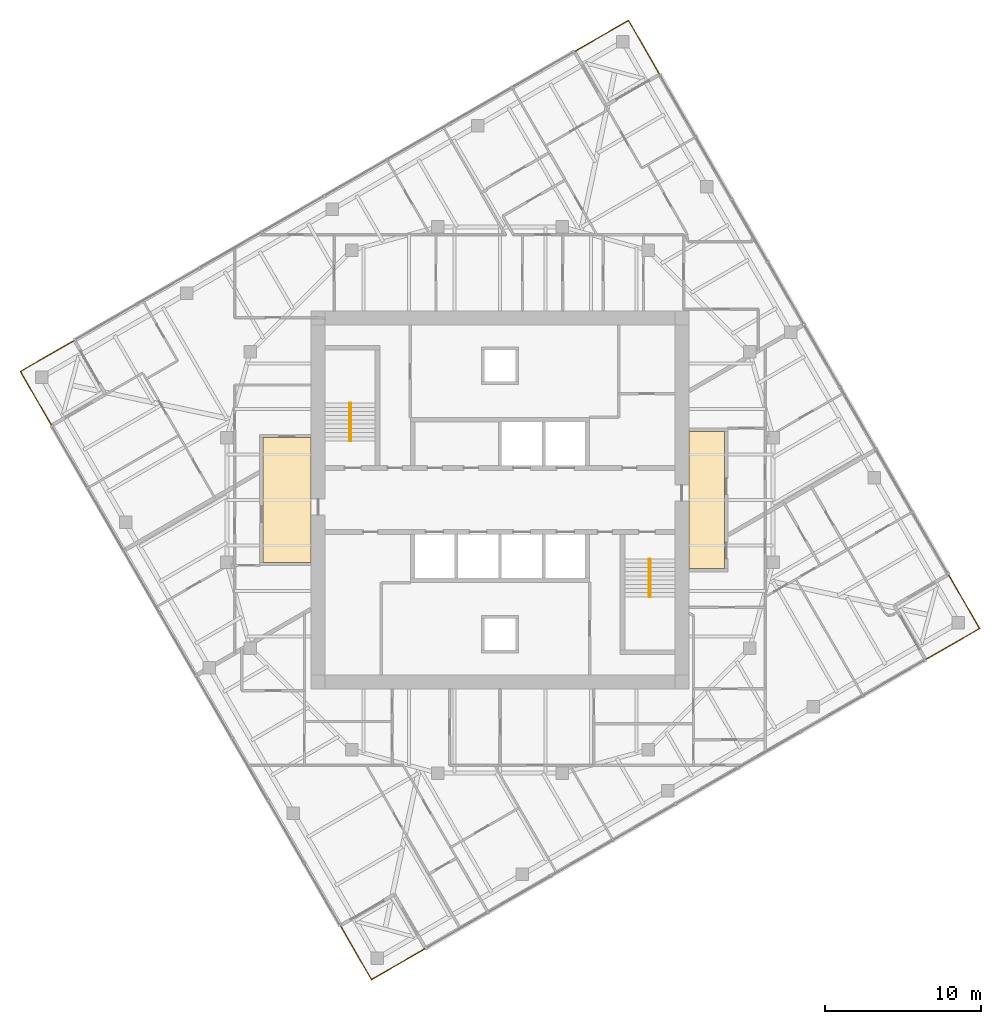
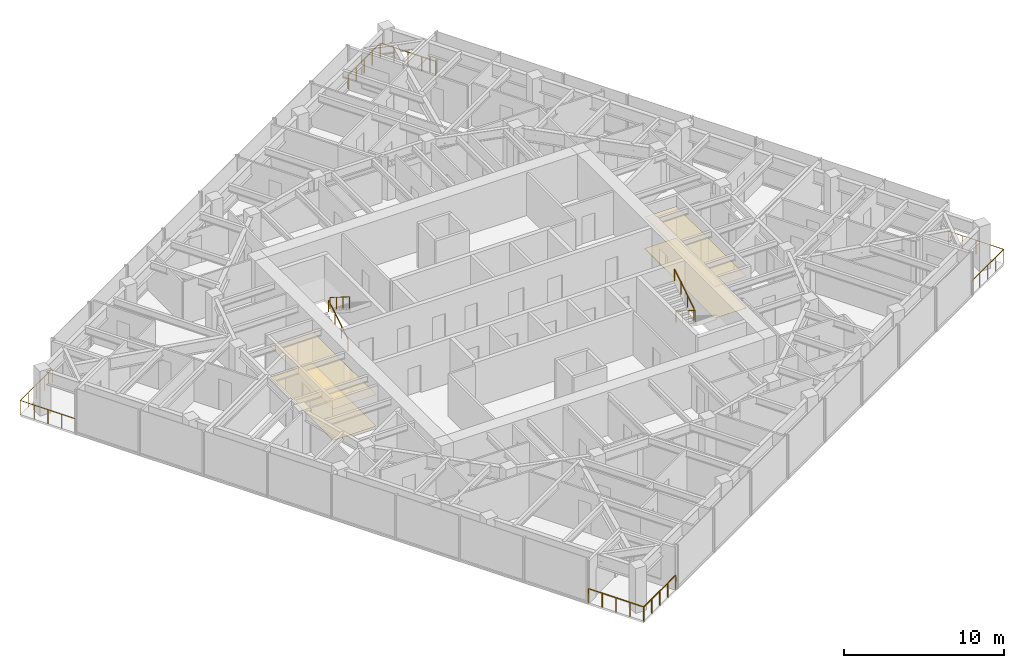
# One storey, part 13 of 13: 8 railings, 4 coverings, 2 elements without a shape of their own.
"""IFC4 building model written with IfcOpenShell, lengths in metres."""

from ifc_helpers import new_model, si_unit, direction, frame, origin, origin_2d, place, context, subcontext, project, spatial, polyline, circle, outline, extrude, material, layer, layer_set, type_object, element, aggregate, save


model = new_model("IFC4")

# Units and contexts
model_context = context("Model", 3, precision=1e-05, world=origin(), true_north=direction((0.0, 1.0)))
body_context = subcontext(model_context, "Body", "Model", "MODEL_VIEW")
ifc_project = project(units=[si_unit("LENGTHUNIT", "METRE"), si_unit("AREAUNIT", "SQUARE_METRE"), si_unit("VOLUMEUNIT", "CUBIC_METRE"), si_unit("PLANEANGLEUNIT", "RADIAN"), si_unit("MASSUNIT", "GRAM", prefix="KILO")], contexts=[model_context])

# Site, building, storey
site_placement = place(None, origin())
site = spatial("IfcSite", under=ifc_project, at=site_placement, CompositionType="ELEMENT")
building_placement = place(site_placement, origin())
building = spatial("IfcBuilding", under=site, at=building_placement, Name="Torsade Residences", CompositionType="ELEMENT")
storey_placement = place(building_placement, frame((0.0, 0.0, 208.199951171875)))
storey = spatial("IfcBuildingStorey", under=building, at=storey_placement, Name="L57", CompositionType="ELEMENT", Elevation=208.199951171875)

# Coverings
ifc_material_1 = material(Name="Nylon carpet tile on underlay", Category="textile")
ifc_layer_1 = layer(ifc_material_1, 0.010009765625)
ifc_layer_set_1 = layer_set([ifc_layer_1], Name="Nylon carpet tile on underlay")
covering_type_1 = type_object("IfcCoveringType", Name="CORRIDOR CARPET TILE 10", PredefinedType="FLOORING", material=ifc_layer_set_1)
covering_1_placement = place(storey_placement, origin())
element("IfcCovering", 1, at=covering_1_placement, inside=storey, type_object=covering_type_1, Name="Corridor carpet L57", PredefinedType="FLOORING", context=body_context, shape_type="SweptSolid", body=[
    extrude(outline(polyline([(54.39990234375, 25.60009765625), (54.39990234375, 34.39990234375), (52.10009765625, 34.39990234375), (52.10009765625, 25.60009765625), (54.39990234375, 25.60009765625)])), origin(), (0.0, 0.0, 1.0), 0.010009765625),
])
covering_2_placement = place(storey_placement, origin())
element("IfcCovering", 2, at=covering_2_placement, inside=storey, type_object=covering_type_1, Name="Corridor carpet west L57", PredefinedType="FLOORING", context=body_context, shape_type="SweptSolid", body=[
    extrude(outline(polyline([(27.89990234375, 26.0), (27.89990234375, 34.0), (24.800048828125, 34.0), (24.800048828125, 26.0), (27.89990234375, 26.0)])), origin(), (0.0, 0.0, 1.0), 0.010009765625),
])
ifc_material_2 = material(Name="Plasterboard on suspended steel grid", Category="steel")
ifc_layer_2 = layer(ifc_material_2, 0.012939453125)
ifc_layer_set_2 = layer_set([ifc_layer_2], Name="Plasterboard on suspended steel grid")
covering_type_2 = type_object("IfcCoveringType", Name="CORRIDOR SUSPENDED CEILING 13", PredefinedType="CEILING", material=ifc_layer_set_2)
covering_3_placement = place(storey_placement, frame((0.0, 0.0, 2.400146484375)))
element("IfcCovering", 3, at=covering_3_placement, inside=storey, type_object=covering_type_2, Name="Corridor ceiling L57", PredefinedType="CEILING", context=body_context, shape_type="SweptSolid", body=[
    extrude(outline(polyline([(54.39990234375, 25.60009765625), (54.39990234375, 34.39990234375), (52.10009765625, 34.39990234375), (52.10009765625, 25.60009765625), (54.39990234375, 25.60009765625)])), origin(), (0.0, 0.0, 1.0), 0.012939453125),
])
covering_4_placement = place(storey_placement, frame((0.0, 0.0, 2.400146484375)))
element("IfcCovering", 4, at=covering_4_placement, inside=storey, type_object=covering_type_2, Name="Corridor ceiling west L57", PredefinedType="CEILING", context=body_context, shape_type="SweptSolid", body=[
    extrude(outline(polyline([(27.89990234375, 26.0), (27.89990234375, 34.0), (24.800048828125, 34.0), (24.800048828125, 26.0), (27.89990234375, 26.0)])), origin(), (0.0, 0.0, 1.0), 0.012939453125),
])

# Stair, railings
ifc_material_3 = material(Name="Precast concrete 40 MPa", Category="concrete")
stair_type = type_object("IfcStairType", Name="HALF-TURN FIRE STAIR 1500x3400", PredefinedType="HALF_TURN_STAIR", material=ifc_material_3)
stair_1_placement = place(storey_placement, origin())
stair_1 = element("IfcStair", 5, at=stair_1_placement, inside=storey, type_object=stair_type, Name="Stair ST1 L57", PredefinedType="HALF_TURN_STAIR")
ifc_material_4 = material(Name="Steel handrail", Category="steel")
railing_type_1 = type_object("IfcRailingType", Name="STAIR HANDRAIL 900", PredefinedType="HANDRAIL", material=ifc_material_4)
railing_1_placement = place(storey_placement, frame((30.35009765625, 33.780029296875, 0.170166015625)))
railing_1 = element("IfcRailing", 6, at=railing_1_placement, type_object=railing_type_1, Name="Handrail ST1 flight 1 L57", PredefinedType="HANDRAIL", context=body_context, shape_type="SweptSolid", body=[
    extrude(circle(Radius=0.02392578125, at=origin_2d()), frame((0.0, 0.0, 0.8759765625), z_axis=(0.0, 0.846259816676, 0.532770422113), x_axis=(-1.0, 0.0, 0.0)), (0.0, 0.0, 1.0), 2.871337890625),
    extrude(circle(Radius=0.02099609375, at=origin_2d()), origin(), (0.0, 0.0, 1.0), 0.851806640625),
    extrude(circle(Radius=0.02099609375, at=origin_2d()), frame((0.0, 0.81005859375, 0.510009765625)), (0.0, 0.0, 1.0), 0.851806640625),
    extrude(circle(Radius=0.02099609375, at=origin_2d()), frame((0.0, 1.619873046875, 1.019775390625)), (0.0, 0.0, 1.0), 0.851806640625),
    extrude(circle(Radius=0.02099609375, at=origin_2d()), frame((0.0, 2.429931640625, 1.52978515625)), (0.0, 0.0, 1.0), 0.851806640625),
])
railing_2_placement = place(storey_placement, frame((30.449951171875, 36.2099609375, 1.8701171875)))
railing_2 = element("IfcRailing", 7, at=railing_2_placement, type_object=railing_type_1, Name="Handrail ST1 flight 2 L57", PredefinedType="HANDRAIL", context=body_context, shape_type="SweptSolid", body=[
    extrude(circle(Radius=0.02392578125, at=origin_2d()), frame((0.0, 0.0, 0.8759765625), z_axis=(0.0, -0.846221481393, 0.532831309544), x_axis=(1.0, 0.0, 0.0)), (0.0, 0.0, 1.0), 2.87158203125),
    extrude(circle(Radius=0.02099609375, at=origin_2d()), origin(), (0.0, 0.0, 1.0), 0.851806640625),
    extrude(circle(Radius=0.02099609375, at=origin_2d()), frame((0.0, -0.81005859375, 0.510009765625)), (0.0, 0.0, 1.0), 0.851806640625),
    extrude(circle(Radius=0.02099609375, at=origin_2d()), frame((0.0, -1.619873046875, 1.02001953125)), (0.0, 0.0, 1.0), 0.851806640625),
    extrude(circle(Radius=0.02099609375, at=origin_2d()), frame((0.0, -2.429931640625, 1.530029296875)), (0.0, 0.0, 1.0), 0.851806640625),
])
aggregate(stair_1, [railing_1, railing_2])

stair_2_placement = place(storey_placement, origin())
stair_2 = element("IfcStair", 8, at=stair_2_placement, inside=storey, type_object=stair_type, Name="Stair ST2 L57", PredefinedType="HALF_TURN_STAIR")
railing_3_placement = place(storey_placement, frame((49.64990234375, 26.219970703125, 0.170166015625)))
railing_3 = element("IfcRailing", 9, at=railing_3_placement, type_object=railing_type_1, Name="Handrail ST2 flight 1 L57", PredefinedType="HANDRAIL", context=body_context, shape_type="SweptSolid", body=[
    extrude(circle(Radius=0.02392578125, at=origin_2d()), frame((0.0, 0.0, 0.8759765625), z_axis=(0.0, -0.846259816676, 0.532770422113), x_axis=(1.0, 0.0, 0.0)), (0.0, 0.0, 1.0), 2.871337890625),
    extrude(circle(Radius=0.02099609375, at=origin_2d()), origin(), (0.0, 0.0, 1.0), 0.851806640625),
    extrude(circle(Radius=0.02099609375, at=origin_2d()), frame((0.0, -0.81005859375, 0.510009765625)), (0.0, 0.0, 1.0), 0.851806640625),
    extrude(circle(Radius=0.02099609375, at=origin_2d()), frame((0.0, -1.619873046875, 1.019775390625)), (0.0, 0.0, 1.0), 0.851806640625),
    extrude(circle(Radius=0.02099609375, at=origin_2d()), frame((0.0, -2.429931640625, 1.52978515625)), (0.0, 0.0, 1.0), 0.851806640625),
])
railing_4_placement = place(storey_placement, frame((49.550048828125, 23.7900390625, 1.8701171875)))
railing_4 = element("IfcRailing", 10, at=railing_4_placement, type_object=railing_type_1, Name="Handrail ST2 flight 2 L57", PredefinedType="HANDRAIL", context=body_context, shape_type="SweptSolid", body=[
    extrude(circle(Radius=0.02392578125, at=origin_2d()), frame((0.0, 0.0, 0.8759765625), z_axis=(0.0, 0.846221481393, 0.532831309544), x_axis=(-1.0, 0.0, 0.0)), (0.0, 0.0, 1.0), 2.87158203125),
    extrude(circle(Radius=0.02099609375, at=origin_2d()), origin(), (0.0, 0.0, 1.0), 0.851806640625),
    extrude(circle(Radius=0.02099609375, at=origin_2d()), frame((0.0, 0.81005859375, 0.510009765625)), (0.0, 0.0, 1.0), 0.851806640625),
    extrude(circle(Radius=0.02099609375, at=origin_2d()), frame((0.0, 1.619873046875, 1.02001953125)), (0.0, 0.0, 1.0), 0.851806640625),
    extrude(circle(Radius=0.02099609375, at=origin_2d()), frame((0.0, 2.429931640625, 1.530029296875)), (0.0, 0.0, 1.0), 0.851806640625),
])
aggregate(stair_2, [railing_3, railing_4])

# Railings
ifc_material_5 = material(Name="Laminated glass balustrade", Category="glass")
railing_type_2 = type_object("IfcRailingType", Name="TERRACE GLASS BALUSTRADE 1100", PredefinedType="BALUSTRADE", material=ifc_material_5)
railing_5_placement = place(storey_placement, frame((67.271484375, 19.764404296875, 0.0)))
element("IfcRailing", 11, at=railing_5_placement, inside=storey, type_object=railing_type_2, Name="Terrace balustrade SE L57", PredefinedType="BALUSTRADE", context=body_context, shape_type="SweptSolid", body=[
    extrude(circle(Radius=0.02392578125, at=origin_2d()), frame((0.0, 0.0, 1.076171875), z_axis=(0.866026010844, 0.49999894854, 0.0), x_axis=(-0.49999894854, 0.866026010844, 0.0)), (0.0, 0.0, 1.0), 4.0),
    extrude(circle(Radius=0.02392578125, at=origin_2d()), frame((3.464111328125, 2.0, 1.076171875), z_axis=(-0.49999894854, 0.866026010844, 0.0), x_axis=(-0.866026010844, -0.49999894854, 0.0)), (0.0, 0.0, 1.0), 4.0),
    extrude(circle(Radius=0.02099609375, at=origin_2d()), origin(), (0.0, 0.0, 1.0), 1.052001953125),
    extrude(circle(Radius=0.02099609375, at=origin_2d()), frame((0.865966796875, 0.5, 0.0)), (0.0, 0.0, 1.0), 1.052001953125),
    extrude(circle(Radius=0.02099609375, at=origin_2d()), frame((1.73193359375, 1.0, 0.0)), (0.0, 0.0, 1.0), 1.052001953125),
    extrude(circle(Radius=0.02099609375, at=origin_2d()), frame((2.59814453125, 1.5, 0.0)), (0.0, 0.0, 1.0), 1.052001953125),
    extrude(circle(Radius=0.02099609375, at=origin_2d()), frame((3.464111328125, 2.0, 0.0)), (0.0, 0.0, 1.0), 1.052001953125),
    extrude(circle(Radius=0.02099609375, at=origin_2d()), frame((2.964111328125, 2.865966796875, 0.0)), (0.0, 0.0, 1.0), 1.052001953125),
    extrude(circle(Radius=0.02099609375, at=origin_2d()), frame((2.464111328125, 3.73193359375, 0.0)), (0.0, 0.0, 1.0), 1.052001953125),
    extrude(circle(Radius=0.02099609375, at=origin_2d()), frame((1.964111328125, 4.59814453125, 0.0)), (0.0, 0.0, 1.0), 1.052001953125),
    extrude(circle(Radius=0.02099609375, at=origin_2d()), frame((1.464111328125, 5.464111328125, 0.0)), (0.0, 0.0, 1.0), 1.052001953125),
])
railing_6_placement = place(storey_placement, frame((50.235595703125, 57.271484375, 0.0)))
element("IfcRailing", 12, at=railing_6_placement, inside=storey, type_object=railing_type_2, Name="Terrace balustrade NE L57", PredefinedType="BALUSTRADE", context=body_context, shape_type="SweptSolid", body=[
    extrude(circle(Radius=0.02392578125, at=origin_2d()), frame((0.0, 0.0, 1.076171875), z_axis=(-0.49999894854, 0.866026010844, 0.0), x_axis=(-0.866026010844, -0.49999894854, 0.0)), (0.0, 0.0, 1.0), 4.0),
    extrude(circle(Radius=0.02392578125, at=origin_2d()), frame((-2.0, 3.464111328125, 1.076171875), z_axis=(-0.866026010844, -0.49999894854, 0.0), x_axis=(0.49999894854, -0.866026010844, 0.0)), (0.0, 0.0, 1.0), 4.0),
    extrude(circle(Radius=0.02099609375, at=origin_2d()), origin(), (0.0, 0.0, 1.0), 1.052001953125),
    extrude(circle(Radius=0.02099609375, at=origin_2d()), frame((-0.5, 0.865966796875, 0.0)), (0.0, 0.0, 1.0), 1.052001953125),
    extrude(circle(Radius=0.02099609375, at=origin_2d()), frame((-1.0, 1.73193359375, 0.0)), (0.0, 0.0, 1.0), 1.052001953125),
    extrude(circle(Radius=0.02099609375, at=origin_2d()), frame((-1.5, 2.59814453125, 0.0)), (0.0, 0.0, 1.0), 1.052001953125),
    extrude(circle(Radius=0.02099609375, at=origin_2d()), frame((-2.0, 3.464111328125, 0.0)), (0.0, 0.0, 1.0), 1.052001953125),
    extrude(circle(Radius=0.02099609375, at=origin_2d()), frame((-2.865966796875, 2.964111328125, 0.0)), (0.0, 0.0, 1.0), 1.052001953125),
    extrude(circle(Radius=0.02099609375, at=origin_2d()), frame((-3.73193359375, 2.464111328125, 0.0)), (0.0, 0.0, 1.0), 1.052001953125),
    extrude(circle(Radius=0.02099609375, at=origin_2d()), frame((-4.59814453125, 1.964111328125, 0.0)), (0.0, 0.0, 1.0), 1.052001953125),
    extrude(circle(Radius=0.02099609375, at=origin_2d()), frame((-5.464111328125, 1.464111328125, 0.0)), (0.0, 0.0, 1.0), 1.052001953125),
])
railing_7_placement = place(storey_placement, frame((12.728515625, 40.235595703125, 0.0)))
element("IfcRailing", 13, at=railing_7_placement, inside=storey, type_object=railing_type_2, Name="Terrace balustrade NW L57", PredefinedType="BALUSTRADE", context=body_context, shape_type="SweptSolid", body=[
    extrude(circle(Radius=0.02392578125, at=origin_2d()), frame((0.0, 0.0, 1.076171875), z_axis=(-0.866026010844, -0.49999894854, 0.0), x_axis=(0.49999894854, -0.866026010844, 0.0)), (0.0, 0.0, 1.0), 4.0),
    extrude(circle(Radius=0.02392578125, at=origin_2d()), frame((-3.464111328125, -2.0, 1.076171875), z_axis=(0.49999894854, -0.866026010844, 0.0), x_axis=(0.866026010844, 0.49999894854, 0.0)), (0.0, 0.0, 1.0), 4.0),
    extrude(circle(Radius=0.02099609375, at=origin_2d()), origin(), (0.0, 0.0, 1.0), 1.052001953125),
    extrude(circle(Radius=0.02099609375, at=origin_2d()), frame((-0.865966796875, -0.5, 0.0)), (0.0, 0.0, 1.0), 1.052001953125),
    extrude(circle(Radius=0.02099609375, at=origin_2d()), frame((-1.73193359375, -1.0, 0.0)), (0.0, 0.0, 1.0), 1.052001953125),
    extrude(circle(Radius=0.02099609375, at=origin_2d()), frame((-2.59814453125, -1.5, 0.0)), (0.0, 0.0, 1.0), 1.052001953125),
    extrude(circle(Radius=0.02099609375, at=origin_2d()), frame((-3.464111328125, -2.0, 0.0)), (0.0, 0.0, 1.0), 1.052001953125),
    extrude(circle(Radius=0.02099609375, at=origin_2d()), frame((-2.964111328125, -2.865966796875, 0.0)), (0.0, 0.0, 1.0), 1.052001953125),
    extrude(circle(Radius=0.02099609375, at=origin_2d()), frame((-2.464111328125, -3.73193359375, 0.0)), (0.0, 0.0, 1.0), 1.052001953125),
    extrude(circle(Radius=0.02099609375, at=origin_2d()), frame((-1.964111328125, -4.59814453125, 0.0)), (0.0, 0.0, 1.0), 1.052001953125),
    extrude(circle(Radius=0.02099609375, at=origin_2d()), frame((-1.464111328125, -5.464111328125, 0.0)), (0.0, 0.0, 1.0), 1.052001953125),
])
railing_8_placement = place(storey_placement, frame((29.764404296875, 2.728515625, 0.0)))
element("IfcRailing", 14, at=railing_8_placement, inside=storey, type_object=railing_type_2, Name="Terrace balustrade SW L57", PredefinedType="BALUSTRADE", context=body_context, shape_type="SweptSolid", body=[
    extrude(circle(Radius=0.02392578125, at=origin_2d()), frame((0.0, 0.0, 1.076171875), z_axis=(0.49999894854, -0.866026010844, 0.0), x_axis=(0.866026010844, 0.49999894854, 0.0)), (0.0, 0.0, 1.0), 4.0),
    extrude(circle(Radius=0.02392578125, at=origin_2d()), frame((2.0, -3.464111328125, 1.076171875), z_axis=(0.866026010844, 0.49999894854, 0.0), x_axis=(-0.49999894854, 0.866026010844, 0.0)), (0.0, 0.0, 1.0), 4.0),
    extrude(circle(Radius=0.02099609375, at=origin_2d()), origin(), (0.0, 0.0, 1.0), 1.052001953125),
    extrude(circle(Radius=0.02099609375, at=origin_2d()), frame((0.5, -0.865966796875, 0.0)), (0.0, 0.0, 1.0), 1.052001953125),
    extrude(circle(Radius=0.02099609375, at=origin_2d()), frame((1.0, -1.73193359375, 0.0)), (0.0, 0.0, 1.0), 1.052001953125),
    extrude(circle(Radius=0.02099609375, at=origin_2d()), frame((1.5, -2.59814453125, 0.0)), (0.0, 0.0, 1.0), 1.052001953125),
    extrude(circle(Radius=0.02099609375, at=origin_2d()), frame((2.0, -3.464111328125, 0.0)), (0.0, 0.0, 1.0), 1.052001953125),
    extrude(circle(Radius=0.02099609375, at=origin_2d()), frame((2.865966796875, -2.964111328125, 0.0)), (0.0, 0.0, 1.0), 1.052001953125),
    extrude(circle(Radius=0.02099609375, at=origin_2d()), frame((3.73193359375, -2.464111328125, 0.0)), (0.0, 0.0, 1.0), 1.052001953125),
    extrude(circle(Radius=0.02099609375, at=origin_2d()), frame((4.59814453125, -1.964111328125, 0.0)), (0.0, 0.0, 1.0), 1.052001953125),
    extrude(circle(Radius=0.02099609375, at=origin_2d()), frame((5.464111328125, -1.464111328125, 0.0)), (0.0, 0.0, 1.0), 1.052001953125),
])

save(model, "model.ifc")
